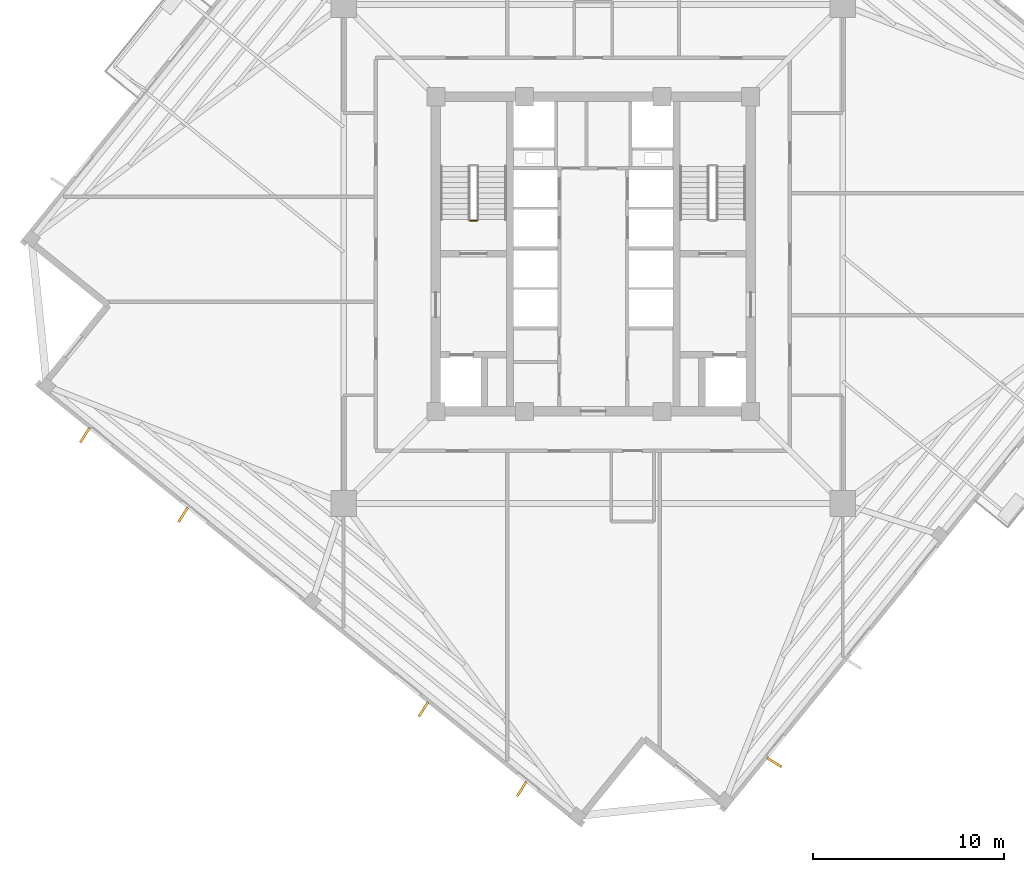
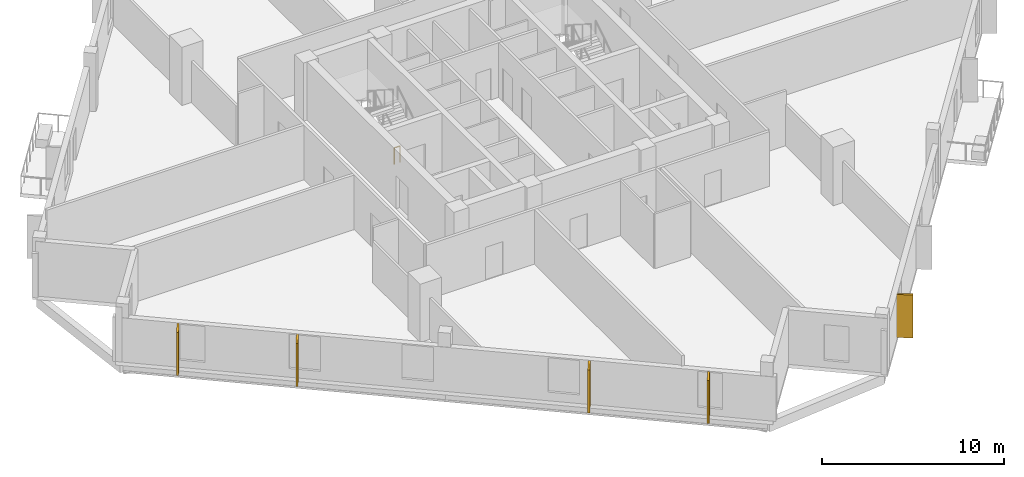
# One storey, part 6 of 9: 5 coverings, 1 railing.
"""IFC4 building model written with IfcOpenShell, lengths in metres."""

from ifc_helpers import new_model, si_unit, direction, frame, origin, origin_2d, place, context, subcontext, project, spatial, rectangle, circle, extrude, source, transform, mapped, material, layer, layer_set, type_object, element, save


model = new_model("IFC4")

# Units and contexts
model_context = context("Model", 3, precision=1e-05, world=origin(), true_north=direction((0.0, 1.0)))
body_context = subcontext(model_context, "Body", "Model", "MODEL_VIEW")
ifc_project = project(units=[si_unit("LENGTHUNIT", "METRE"), si_unit("AREAUNIT", "SQUARE_METRE"), si_unit("VOLUMEUNIT", "CUBIC_METRE"), si_unit("PLANEANGLEUNIT", "RADIAN"), si_unit("MASSUNIT", "GRAM", prefix="KILO"), si_unit("THERMODYNAMICTEMPERATUREUNIT", "KELVIN")], contexts=[model_context])

# Site, building, storey
site_placement = place(None, origin())
site = spatial("IfcSite", under=ifc_project, at=site_placement, CompositionType="ELEMENT")
building_placement = place(site_placement, origin())
building = spatial("IfcBuilding", under=site, at=building_placement, Name="Kosmvard Interchange Tower", CompositionType="ELEMENT")
storey_placement = place(building_placement, frame((0.0, 0.0, 232.89990234375)))
storey = spatial("IfcBuildingStorey", under=building, at=storey_placement, Name="L56", CompositionType="ELEMENT", Elevation=232.89990234375)

# Coverings
ifc_material_1 = material(Name="Architectural anodised aluminium", Category="aluminium")
ifc_layer = layer(ifc_material_1, 0.1201171875, Name="Architectural anodised aluminium")
ifc_layer_set = layer_set([ifc_layer], Name="Architectural anodised aluminium")
covering_type = type_object("IfcCoveringType", Name="Rotating Vertical Sun-Breaker Fin 900x120 Aluminium", PredefinedType="CLADDING", material=ifc_layer_set)
shared_shape_1 = source(origin(), body_context, "Body", "SweptSolid", [
    extrude(rectangle(XDim=0.89990234375, YDim=0.1201171875, at=origin_2d()), origin(), (0.0, 0.0, 1.0), 2.8798828125),
])
for number, where, z_axis, x_axis, name in (
    (1, (9.494384765625, -26.650146484375, 0.0400390625), (0.0, 0.0, 1.0), (0.847955594881, -0.530067268476, 0.0), "L56 Rotating Vertical Sun-Breaker Fin 01"),
    (2, (-26.650146484375, -9.494384765625, 0.0400390625), (0.0, 0.0, 1.0), (-0.530067268476, -0.847955594881, 0.0), "L56 Rotating Vertical Sun-Breaker Fin 13"),
    (3, (-21.49658203125, -13.66748046875, 0.0400390625), (0.0, 0.0, 1.0), (-0.530067268476, -0.847955594881, 0.0), "L56 Rotating Vertical Sun-Breaker Fin 14"),
    (4, (-8.8994140625, -23.86865234375, 0.0400390625), (0.0, 0.0, 1.0), (-0.530067268476, -0.847955594881, 0.0), "L56 Rotating Vertical Sun-Breaker Fin 15"),
    (5, (-3.74609375, -28.041748046875, 0.0400390625), (0.0, 0.0, 1.0), (-0.530067268476, -0.847955594881, 0.0), "L56 Rotating Vertical Sun-Breaker Fin 16"),
):
    element("IfcCovering", number, at=place(storey_placement, frame(where, z_axis=z_axis, x_axis=x_axis)), inside=storey, type_object=covering_type, Name=name, PredefinedType="CLADDING", context=body_context, shape_type="MappedRepresentation", body=[
        mapped(shared_shape_1, transform((0.0, 0.0, 0.0), scale=1.0)),
    ])

# Railing
ifc_material_2 = material(Name="Steel S355", Category="steel")
railing_type = type_object("IfcRailingType", Name="Stair & Terrace Safety Guardrail 1100 Steel", PredefinedType="GUARDRAIL", material=ifc_material_2)
shared_shape_2 = source(origin(), body_context, "Body", "SweptSolid", [
    extrude(circle(Radius=0.02392578125, at=origin_2d()), frame((0.0, 0.0, 1.076171875), z_axis=(-1.0, 0.0, 0.0), x_axis=(0.0, -1.0, 0.0)), (0.0, 0.0, 1.0), 0.35986328125),
    extrude(circle(Radius=0.02099609375, at=origin_2d()), origin(), (0.0, 0.0, 1.0), 1.052001953125),
    extrude(circle(Radius=0.02099609375, at=origin_2d()), frame((-0.35986328125, 0.0, 0.0)), (0.0, 0.0, 1.0), 1.052001953125),
])
railing_placement = place(storey_placement, frame((-6.090087890625, 1.75, 0.0)))
element("IfcRailing", 6, at=railing_placement, inside=storey, type_object=railing_type, Name="L56 ST-1 stair guard 4", PredefinedType="GUARDRAIL", context=body_context, shape_type="MappedRepresentation", body=[
    mapped(shared_shape_2, transform((0.0, 0.0, 0.0), scale=1.0)),
])

save(model, "model.ifc")
